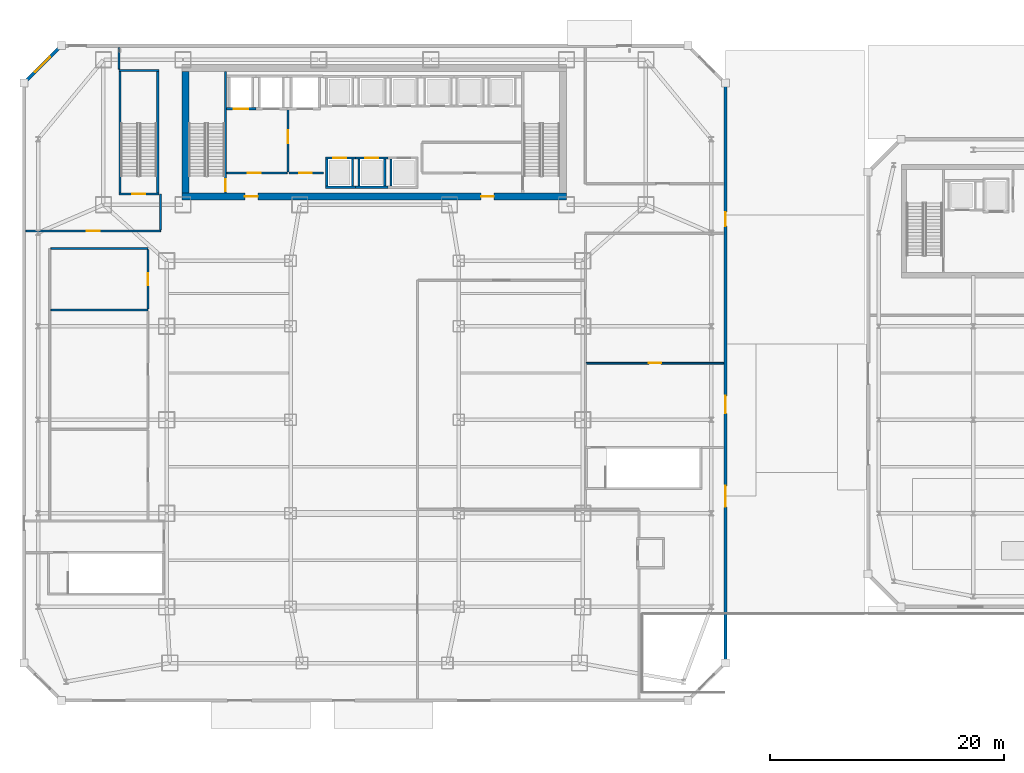
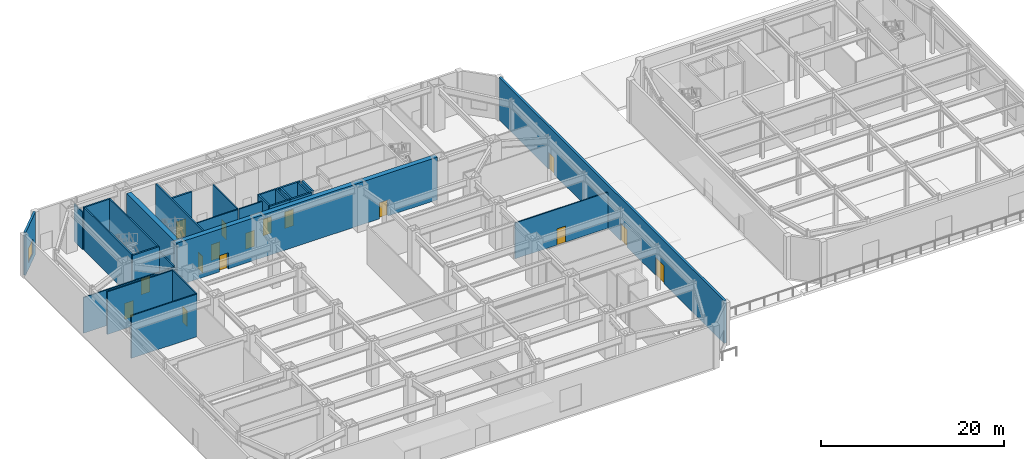
# One storey, part 12 of 23: 29 walls, 16 doors, 1 window, 17 openings.
"""IFC4 building model written with IfcOpenShell, lengths in metres."""

import ifcopenshell
import ifcopenshell.guid

model = None  # the IFC model being written
_history = None  # IfcOwnerHistory: only IFC2X3 demands one
_inside = {}  # id of a spatial element -> (the spatial element, [elements in it])
_under = {}  # id of a project, library or spatial element -> (it, [spatial elements below it])
_declared = {}  # id of a project -> (the project, [libraries it declares])
_typed = {}  # id of a type object -> (the type object, [elements of that type])
_made_of = {}  # id of a material, layer set ... -> (it, [elements and type objects made of it])


def new_model(schema):
    """Start an empty IFC model of exactly this schema.

    Asked for "IFC4X3", IfcOpenShell would pick the latest addendum, in which some entities
    have other attributes; the version numbers below select the first issue.
    IFC2X3 requires an IfcOwnerHistory on every rooted entity: one is made here for all.
    """
    global model, _history
    if schema == "IFC4X3":
        model = ifcopenshell.file(schema_version=(4, 3, 0, 0))
    else:
        model = ifcopenshell.file(schema=schema)
    _inside.clear()
    _under.clear()
    _declared.clear()
    _typed.clear()
    _made_of.clear()
    _history = None
    if model.schema == "IFC2X3":
        org = make("IfcOrganization", Name="unknown")
        user = make(
            "IfcPersonAndOrganization",
            ThePerson=make("IfcPerson", FamilyName="unknown"),
            TheOrganization=org,
        )
        app = make(
            "IfcApplication",
            ApplicationDeveloper=org,
            Version="unknown",
            ApplicationFullName="unknown",
            ApplicationIdentifier="unknown",
        )
        _history = make(
            "IfcOwnerHistory",
            OwningUser=user,
            OwningApplication=app,
            ChangeAction="ADDED",
            CreationDate=0,
        )
    return model


def make(cls, **values):
    """One entity of the class cls with the attributes given. An attribute that is None is left unset."""
    return model.create_entity(
        cls, **{name: value for name, value in values.items() if value is not None}
    )


def rooted(cls, **values):
    """An entity with a GlobalId (a new one), such as an element, a storey or a relation."""
    return make(cls, GlobalId=ifcopenshell.guid.new(), OwnerHistory=_history, **values)


def si_unit(unit_type, name, prefix=None):
    """IfcSIUnit, for example si_unit("LENGTHUNIT", "METRE", prefix="MILLI")."""
    return make("IfcSIUnit", UnitType=unit_type, Prefix=prefix, Name=name)


def assignment(units):
    """IfcUnitAssignment: the units of a project."""
    return None if units is None else make("IfcUnitAssignment", Units=units)


def point(xyz):
    """IfcCartesianPoint."""
    return None if xyz is None else make("IfcCartesianPoint", Coordinates=xyz)


def direction(xyz):
    """IfcDirection."""
    return None if xyz is None else make("IfcDirection", DirectionRatios=xyz)


def frame(location, z_axis=None, x_axis=None):
    """IfcAxis2Placement3D, a coordinate frame: its origin and axes. An axis left out is left unset."""
    return make(
        "IfcAxis2Placement3D",
        Location=point(location),
        Axis=direction(z_axis),
        RefDirection=direction(x_axis),
    )


def frame_2d(location, x_axis=None):
    """IfcAxis2Placement2D, a coordinate frame in the plane: its origin and x axis."""
    return make(
        "IfcAxis2Placement2D", Location=point(location), RefDirection=direction(x_axis)
    )


def origin():
    """The frame at (0, 0, 0) with its axes left unset."""
    return frame((0.0, 0.0, 0.0))


def place(relative_to, where):
    """IfcLocalPlacement: puts the frame where relative to a parent placement (None: the world)."""
    return make(
        "IfcLocalPlacement", PlacementRelTo=relative_to, RelativePlacement=where
    )


def context(
    kind, dimensions, precision=None, world=None, true_north=None, identifier=None
):
    """IfcGeometricRepresentationContext, for example the 3D "Model" context."""
    return make(
        "IfcGeometricRepresentationContext",
        ContextIdentifier=identifier,
        ContextType=kind,
        CoordinateSpaceDimension=dimensions,
        Precision=precision,
        WorldCoordinateSystem=world,
        TrueNorth=true_north,
    )


def subcontext(parent, identifier, kind, view, scale=None):
    """IfcGeometricRepresentationSubContext, for example "Body" below "Model"."""
    return make(
        "IfcGeometricRepresentationSubContext",
        ContextIdentifier=identifier,
        ContextType=kind,
        ParentContext=parent,
        TargetScale=scale,
        TargetView=view,
    )


def project(units=None, contexts=None):
    """IfcProject with its units and contexts."""
    return rooted(
        "IfcProject",
        Name="project",
        RepresentationContexts=contexts,
        UnitsInContext=assignment(units),
    )


def spatial(cls, under=None, at=None, **own):
    """A site, building, storey or space (cls), placed at a placement, below another one or the project."""
    s = rooted(cls, ObjectPlacement=at, **own)
    if under is not None:
        _under.setdefault(under.id(), (under, []))[1].append(s)
    return s


def profile(cls, at=None, kind="AREA", **sizes):
    """A parametric profile (cls). Its sizes go by their IFC names, for example OverallWidth=200.0."""
    return make(cls, ProfileType=kind, Position=at, **sizes)


def rectangle(**sizes):
    """IfcRectangleProfileDef."""
    return profile("IfcRectangleProfileDef", **sizes)


def extrude(swept, where, along, depth):
    """IfcExtrudedAreaSolid: the profile swept, set in the frame where, extruded along a direction by depth."""
    return make(
        "IfcExtrudedAreaSolid",
        SweptArea=swept,
        Position=where,
        ExtrudedDirection=direction(along),
        Depth=depth,
    )


def shape(context_of_items, identifier, shape_type, items):
    """IfcShapeRepresentation: the items that make up one representation, for example the "Body"."""
    return make(
        "IfcShapeRepresentation",
        ContextOfItems=context_of_items,
        RepresentationIdentifier=identifier,
        RepresentationType=shape_type,
        Items=items,
    )


def material(Name=None, Category=None):
    """IfcMaterial."""
    return make("IfcMaterial", Name=Name, Category=Category)


def layer(
    of_material, thickness, ventilated=None, Name=None, Category=None, Priority=None
):
    """IfcMaterialLayer: one layer of a wall or slab, of a material (None: an air gap)."""
    return make(
        "IfcMaterialLayer",
        Material=of_material,
        LayerThickness=thickness,
        IsVentilated=ventilated,
        Name=Name,
        Category=Category,
        Priority=Priority,
    )


def layer_set(layers, Name=None):
    """IfcMaterialLayerSet."""
    return make("IfcMaterialLayerSet", MaterialLayers=layers, LayerSetName=Name)


def made_of(thing, what):
    """Note that an element or type object is made of a material, layer set ...; save() writes the relation."""
    if what is not None:
        _made_of.setdefault(what.id(), (what, []))[1].append(thing)
    return thing


def type_object(cls, material=None, **own):
    """A type object (cls), such as IfcWallType, which elements share."""
    return made_of(rooted(cls, **own), material)


def element(
    cls,
    number,
    at=None,
    inside=None,
    cuts=None,
    type_object=None,
    material=None,
    context=None,
    identifier="Body",
    shape_type=None,
    held_by="IfcProductDefinitionShape",
    body=None,
    shapes=None,
    **own,
):
    """One element of the class cls, such as IfcWall. Its Tag is "e" and its number.

    at: its placement. inside: the storey or other place that contains it. cuts: it is an
    opening in that element (IfcRelVoidsElement). A single representation is given by context,
    identifier, shape_type and body (its items); several are given by shapes. held_by: the class
    of the entity that holds the representations. save() writes the other relations.
    """
    e = rooted(cls, Tag="e%d" % number, ObjectPlacement=at, **own)
    if body is not None:
        shapes = [shape(context, identifier, shape_type, body)]
    if shapes is not None:
        e.Representation = make(held_by, Representations=shapes)
    if inside is not None:
        _inside.setdefault(inside.id(), (inside, []))[1].append(e)
    if cuts is not None:
        rooted(
            "IfcRelVoidsElement", RelatingBuildingElement=cuts, RelatedOpeningElement=e
        )
    if type_object is not None:
        _typed.setdefault(type_object.id(), (type_object, []))[1].append(e)
    return made_of(e, material)


def fill(opening, filler):
    """IfcRelFillsElement: the door or window that sits in an opening."""
    return rooted(
        "IfcRelFillsElement",
        RelatingOpeningElement=opening,
        RelatedBuildingElement=filler,
    )


def aggregate(whole, parts):
    """IfcRelAggregates: a whole, such as a stair, and the parts it consists of."""
    return rooted("IfcRelAggregates", RelatingObject=whole, RelatedObjects=parts)


def save(model, path):
    """Write the relations noted so far, then the file.

    IfcRelAggregates (storeys below a building ...), IfcRelContainedInSpatialStructure (elements
    in a storey), IfcRelDefinesByType, IfcRelAssociatesMaterial and IfcRelDeclares: one each for
    every whole, place, type object, material and project.
    """
    for whole, parts in _under.values():
        aggregate(whole, parts)
    for where, things in _inside.values():
        rooted(
            "IfcRelContainedInSpatialStructure",
            RelatedElements=things,
            RelatingStructure=where,
        )
    for kind, things in _typed.values():
        rooted("IfcRelDefinesByType", RelatedObjects=things, RelatingType=kind)
    for what, things in _made_of.values():
        rooted("IfcRelAssociatesMaterial", RelatedObjects=things, RelatingMaterial=what)
    for by, libraries in _declared.values():
        rooted("IfcRelDeclares", RelatingContext=by, RelatedDefinitions=libraries)
    model.write(path)


model = new_model("IFC4")

# Units and contexts
model_context = context("Model", 3, precision=1e-05, world=origin(), true_north=direction((0.0, 1.0)))
body_context = subcontext(model_context, "Body", "Model", "MODEL_VIEW")
ifc_project = project(units=[si_unit("LENGTHUNIT", "METRE"), si_unit("AREAUNIT", "SQUARE_METRE"), si_unit("VOLUMEUNIT", "CUBIC_METRE"), si_unit("PLANEANGLEUNIT", "RADIAN"), si_unit("MASSUNIT", "GRAM", prefix="KILO")], contexts=[model_context])

# Site, building, storey
site_placement = place(None, origin())
site = spatial("IfcSite", under=ifc_project, at=site_placement, CompositionType="ELEMENT")
building_placement = place(site_placement, origin())
building = spatial("IfcBuilding", under=site, at=building_placement, Name="Saevonmaru Cultural Tower", CompositionType="ELEMENT")
storey_placement = place(building_placement, origin())
storey = spatial("IfcBuildingStorey", under=building, at=storey_placement, Name="L00", CompositionType="ELEMENT", Elevation=0.0)

# Wall, openings, doors
ifc_material_1 = material(Name="Concrete C60/75", Category="concrete")
ifc_layer_1 = layer(ifc_material_1, 0.60009765625, Name="Concrete C60/75")
ifc_layer_set_1 = layer_set([ifc_layer_1], Name="Concrete C60/75")
wall_type_1 = type_object("IfcWallType", Name="WL-CORE-600", PredefinedType="SHEAR", material=ifc_layer_set_1)
wall_1_placement = place(storey_placement, frame((13.5, 43.10009765625, 0.0), z_axis=(0.0, 0.0, 1.0), x_axis=(1.0, 0.0, 0.0)))
wall_1 = element("IfcWall", 1, at=wall_1_placement, inside=storey, type_object=wall_type_1, Name="L00 Tower RC core shear wall S", PredefinedType="SHEAR", context=body_context, shape_type="SweptSolid", body=[
    extrude(rectangle(XDim=32.89990234375, YDim=0.60009765625, at=frame_2d((16.449951171875, 0.0))), origin(), (0.0, 0.0, 1.0), 5.699951171875),
])
opening_1_placement = place(wall_1_placement, frame((5.39990234375, 0.0, 0.0)))
opening_1 = element("IfcOpeningElement", 2, at=opening_1_placement, cuts=wall_1, Name="Opening FD-2", PredefinedType="OPENING", context=body_context, shape_type="SweptSolid", body=[
    extrude(rectangle(XDim=1.10009765625, YDim=2.14990234375, at=frame_2d((0.550048828125, 1.074951171875))), frame((0.0, 0.31005859375, 0.0), z_axis=(0.0, -1.0, 0.0), x_axis=(1.0, 0.0, 0.0)), (0.0, 0.0, 1.0), 0.6201171875),
])
opening_2_placement = place(wall_1_placement, frame((25.60009765625, 0.0, 0.0)))
opening_2 = element("IfcOpeningElement", 3, at=opening_2_placement, cuts=wall_1, Name="Opening FD-2", PredefinedType="OPENING", context=body_context, shape_type="SweptSolid", body=[
    extrude(rectangle(XDim=1.10009765625, YDim=2.14990234375, at=frame_2d((0.550048828125, 1.074951171875))), frame((0.0, 0.31005859375, 0.0), z_axis=(0.0, -1.0, 0.0), x_axis=(1.0, 0.0, 0.0)), (0.0, 0.0, 1.0), 0.6201171875),
])
ifc_material_2 = material(Name="Satin Bronze Anodised Aluminium", Category="aluminium")
door_type_1 = type_object("IfcDoorType", Name="DR-FD60-1100", OperationType="SINGLE_SWING_LEFT", PredefinedType="DOOR", material=ifc_material_2)
door_1_placement = place(opening_1_placement, origin())
door_1 = element("IfcDoor", 4, at=door_1_placement, inside=storey, type_object=door_type_1, Name="L00 Core West Lobby Fire Door", OperationType="SINGLE_SWING_LEFT", OverallHeight=2.14990234375, OverallWidth=1.10009765625, PredefinedType="DOOR", context=body_context, shape_type="SweptSolid", body=[
    extrude(rectangle(XDim=1.10009765625, YDim=2.14990234375, at=frame_2d((0.550048828125, 1.074951171875))), frame((0.0, 0.02490234375, 0.0), z_axis=(0.0, -1.0, 0.0), x_axis=(1.0, 0.0, 0.0)), (0.0, 0.0, 1.0), 0.050048828125),
])
fill(opening_1, door_1)
door_2_placement = place(opening_2_placement, origin())
door_2 = element("IfcDoor", 5, at=door_2_placement, inside=storey, type_object=door_type_1, Name="L00 Core East Lobby Fire Door", OperationType="SINGLE_SWING_LEFT", OverallHeight=2.14990234375, OverallWidth=1.10009765625, PredefinedType="DOOR", context=body_context, shape_type="SweptSolid", body=[
    extrude(rectangle(XDim=1.10009765625, YDim=2.14990234375, at=frame_2d((0.550048828125, 1.074951171875))), frame((0.0, 0.02490234375, 0.0), z_axis=(0.0, -1.0, 0.0), x_axis=(1.0, 0.0, 0.0)), (0.0, 0.0, 1.0), 0.050048828125),
])
fill(opening_2, door_2)

# Wall
wall_2_placement = place(storey_placement, frame((13.800048828125, 43.39990234375, 0.0), z_axis=(0.0, 0.0, 1.0), x_axis=(0.0, 1.0, 0.0)))
element("IfcWall", 6, at=wall_2_placement, inside=storey, type_object=wall_type_1, Name="L00 Tower RC core shear wall W", PredefinedType="SHEAR", context=body_context, shape_type="SweptSolid", body=[
    extrude(rectangle(XDim=10.400146484375, YDim=0.60009765625, at=frame_2d((5.2001953125, 0.0))), origin(), (0.0, 0.0, 1.0), 5.699951171875),
])

# Wall, opening, door
ifc_material_3 = material(Name="Gypsum Fireboard Partition", Category="gypsum")
ifc_layer_2 = layer(ifc_material_3, 0.14990234375, Name="Gypsum Fireboard Partition")
ifc_layer_set_2 = layer_set([ifc_layer_2], Name="Gypsum Fireboard Partition")
wall_type_2 = type_object("IfcWallType", Name="WL-CORE-PART-150", PredefinedType="PARTITIONING", material=ifc_layer_set_2)
wall_3_placement = place(storey_placement, frame((17.360107421875, 45.1201171875, 0.0), z_axis=(0.0, 0.0, 1.0), x_axis=(1.0, 0.0, 0.0)))
wall_3 = element("IfcWall", 7, at=wall_3_placement, inside=storey, type_object=wall_type_2, Name="L00 Firefighting Lift Lobby South Wall", PredefinedType="PARTITIONING", context=body_context, shape_type="SweptSolid", body=[
    extrude(rectangle(XDim=5.139892578125, YDim=0.14990234375, at=frame_2d((2.56982421875, 0.0))), origin(), (0.0, 0.0, 1.0), 5.699951171875),
])
opening_3_placement = place(wall_3_placement, frame((1.800048828125, 0.0, 0.0)))
opening_3 = element("IfcOpeningElement", 8, at=opening_3_placement, cuts=wall_3, Name="Opening FD-2", PredefinedType="OPENING", context=body_context, shape_type="SweptSolid", body=[
    extrude(rectangle(XDim=1.10009765625, YDim=2.14990234375, at=frame_2d((0.550048828125, 1.074951171875))), frame((0.0, 0.0849609375, 0.0), z_axis=(0.0, -1.0, 0.0), x_axis=(1.0, 0.0, 0.0)), (0.0, 0.0, 1.0), 0.169921875),
])
door_3_placement = place(opening_3_placement, origin())
door_3 = element("IfcDoor", 9, at=door_3_placement, inside=storey, type_object=door_type_1, Name="L00 Firefighting Lift Lobby South Door", OperationType="SINGLE_SWING_LEFT", OverallHeight=2.14990234375, OverallWidth=1.10009765625, PredefinedType="DOOR", context=body_context, shape_type="SweptSolid", body=[
    extrude(rectangle(XDim=1.10009765625, YDim=2.14990234375, at=frame_2d((0.550048828125, 1.074951171875))), frame((0.0, 0.02490234375, 0.0), z_axis=(0.0, -1.0, 0.0), x_axis=(1.0, 0.0, 0.0)), (0.0, 0.0, 1.0), 0.050048828125),
])
fill(opening_3, door_3)

wall_4_placement = place(storey_placement, frame((22.580078125, 50.550048828125, 0.0), z_axis=(0.0, 0.0, 1.0), x_axis=(0.0, -1.0, 0.0)))
wall_4 = element("IfcWall", 10, at=wall_4_placement, inside=storey, type_object=wall_type_2, Name="L00 Firefighting Lift Lobby East Wall", PredefinedType="PARTITIONING", context=body_context, shape_type="SweptSolid", body=[
    extrude(rectangle(XDim=5.330078125, YDim=0.14990234375, at=frame_2d((2.6650390625, 0.0))), origin(), (0.0, 0.0, 1.0), 5.699951171875),
])
opening_4_placement = place(wall_4_placement, frame((1.800048828125, 0.0, 0.0)))
opening_4 = element("IfcOpeningElement", 11, at=opening_4_placement, cuts=wall_4, Name="Opening FD-2", PredefinedType="OPENING", context=body_context, shape_type="SweptSolid", body=[
    extrude(rectangle(XDim=1.10009765625, YDim=2.14990234375, at=frame_2d((0.550048828125, 1.074951171875))), frame((0.0, 0.0849609375, 0.0), z_axis=(0.0, -1.0, 0.0), x_axis=(1.0, 0.0, 0.0)), (0.0, 0.0, 1.0), 0.169921875),
])
door_4_placement = place(opening_4_placement, origin())
door_4 = element("IfcDoor", 12, at=door_4_placement, inside=storey, type_object=door_type_1, Name="L00 Firefighting Lift Lobby East Door", OperationType="SINGLE_SWING_LEFT", OverallHeight=2.14990234375, OverallWidth=1.10009765625, PredefinedType="DOOR", context=body_context, shape_type="SweptSolid", body=[
    extrude(rectangle(XDim=1.10009765625, YDim=2.14990234375, at=frame_2d((0.550048828125, 1.074951171875))), frame((0.0, 0.02490234375, 0.0), z_axis=(0.0, -1.0, 0.0), x_axis=(1.0, 0.0, 0.0)), (0.0, 0.0, 1.0), 0.050048828125),
])
fill(opening_4, door_4)

wall_5_placement = place(storey_placement, frame((22.679931640625, 45.1201171875, 0.0), z_axis=(0.0, 0.0, 1.0), x_axis=(1.0, 0.0, 0.0)))
wall_5 = element("IfcWall", 13, at=wall_5_placement, inside=storey, type_object=wall_type_2, Name="L00 Service Lift Vestibule Wall", PredefinedType="PARTITIONING", context=body_context, shape_type="SweptSolid", body=[
    extrude(rectangle(XDim=2.920166015625, YDim=0.14990234375, at=frame_2d((1.4599609375, 0.0))), origin(), (0.0, 0.0, 1.0), 5.699951171875),
])
opening_5_placement = place(wall_5_placement, frame((0.85009765625, 0.0, 0.0)))
opening_5 = element("IfcOpeningElement", 14, at=opening_5_placement, cuts=wall_5, Name="Opening FD-2", PredefinedType="OPENING", context=body_context, shape_type="SweptSolid", body=[
    extrude(rectangle(XDim=1.10009765625, YDim=2.14990234375, at=frame_2d((0.550048828125, 1.074951171875))), frame((0.0, 0.0849609375, 0.0), z_axis=(0.0, -1.0, 0.0), x_axis=(1.0, 0.0, 0.0)), (0.0, 0.0, 1.0), 0.169921875),
])
door_5_placement = place(opening_5_placement, origin())
door_5 = element("IfcDoor", 15, at=door_5_placement, inside=storey, type_object=door_type_1, Name="L00 Service Lift Vestibule Door", OperationType="SINGLE_SWING_LEFT", OverallHeight=2.14990234375, OverallWidth=1.10009765625, PredefinedType="DOOR", context=body_context, shape_type="SweptSolid", body=[
    extrude(rectangle(XDim=1.10009765625, YDim=2.14990234375, at=frame_2d((0.550048828125, 1.074951171875))), frame((0.0, 0.02490234375, 0.0), z_axis=(0.0, -1.0, 0.0), x_axis=(1.0, 0.0, 0.0)), (0.0, 0.0, 1.0), 0.050048828125),
])
fill(opening_5, door_5)

# Wall, opening, window
ifc_material_4 = material(Name="Granite-Clad Precast Concrete C40/50", Category="masonry")
ifc_layer_3 = layer(ifc_material_4, 0.260009765625, Name="Granite-Clad Precast Concrete C40/50")
ifc_layer_set_3 = layer_set([ifc_layer_3], Name="Granite-Clad Precast Concrete C40/50")
wall_type_3 = type_object("IfcWallType", Name="WL-EXT-SPANDREL-260", PredefinedType="STANDARD", material=ifc_layer_set_3)
wall_6_placement = place(storey_placement, frame((0.113037109375, 52.9130859375, 0.0), z_axis=(0.0, 0.0, 1.0), x_axis=(0.707106781187, 0.707106781187, 0.0)))
wall_6 = element("IfcWall", 16, at=wall_6_placement, inside=storey, type_object=wall_type_3, Name="L00 Podium Bronze-Granite Exterior Wall E7", PredefinedType="STANDARD", context=body_context, shape_type="SweptSolid", body=[
    extrude(rectangle(XDim=4.205810546875, YDim=0.260009765625, at=frame_2d((2.10302734375, 0.0))), origin(), (0.0, 0.0, 1.0), 5.699951171875),
])
opening_6_placement = place(wall_6_placement, frame((1.202880859375, 0.0, 0.89990234375)))
opening_6 = element("IfcOpeningElement", 17, at=opening_6_placement, cuts=wall_6, Name="Opening W-2", PredefinedType="OPENING", context=body_context, shape_type="SweptSolid", body=[
    extrude(rectangle(XDim=1.800048828125, YDim=1.89990234375, at=frame_2d((0.89990234375, 0.949951171875))), frame((0.0, 0.14013671875, 0.0), z_axis=(0.0, -1.0, 0.0), x_axis=(1.0, 0.0, 0.0)), (0.0, 0.0, 1.0), 0.280029296875),
])
window_type = type_object("IfcWindowType", Name="WN-DECO-1800x1900", PartitioningType="SINGLE_PANEL", PredefinedType="WINDOW", material=ifc_material_2)
window_placement = place(opening_6_placement, origin())
window = element("IfcWindow", 18, at=window_placement, inside=storey, type_object=window_type, Name="L00 Chamfer Bay Window E7", OverallHeight=1.89990234375, OverallWidth=1.800048828125, PartitioningType="SINGLE_PANEL", PredefinedType="WINDOW", context=body_context, shape_type="SweptSolid", body=[
    extrude(rectangle(XDim=1.800048828125, YDim=1.89990234375, at=frame_2d((0.89990234375, 0.949951171875))), frame((0.0, 0.030029296875, 0.0), z_axis=(0.0, -1.0, 0.0), x_axis=(1.0, 0.0, 0.0)), (0.0, 0.0, 1.0), 0.06005859375),
])
fill(opening_6, window)

# Wall, openings, doors
ifc_layer_4 = layer(ifc_material_4, 0.280029296875, Name="Granite-Clad Precast Concrete C40/50")
ifc_layer_set_4 = layer_set([ifc_layer_4], Name="Granite-Clad Precast Concrete C40/50")
wall_type_4 = type_object("IfcWallType", Name="WL-EXT-SPANDREL-280", PredefinedType="STANDARD", material=ifc_layer_set_4)
wall_7_placement = place(storey_placement, frame((60.0, 52.639892578125, 0.0), z_axis=(0.0, 0.0, 1.0), x_axis=(0.0, -1.0, 0.0)))
wall_7 = element("IfcWall", 19, at=wall_7_placement, inside=storey, type_object=wall_type_4, Name="L00 Podium Bronze-Granite Exterior Wall E4", PredefinedType="STANDARD", context=body_context, shape_type="SweptSolid", body=[
    extrude(rectangle(XDim=49.27978515625, YDim=0.280029296875, at=frame_2d((24.639892578125, 0.0))), origin(), (0.0, 0.0, 1.0), 5.699951171875),
])
opening_7_placement = place(wall_7_placement, frame((34.280029296875, 0.0, 0.0)))
opening_7 = element("IfcOpeningElement", 20, at=opening_7_placement, cuts=wall_7, Name="Opening EXD-1", PredefinedType="OPENING", context=body_context, shape_type="SweptSolid", body=[
    extrude(rectangle(XDim=1.800048828125, YDim=2.39990234375, at=frame_2d((0.89990234375, 1.199951171875))), frame((0.0, 0.14990234375, 0.0), z_axis=(0.0, -1.0, 0.0), x_axis=(1.0, 0.0, 0.0)), (0.0, 0.0, 1.0), 0.300048828125),
])
opening_8_placement = place(wall_7_placement, frame((26.580078125, 0.0, 0.0)))
opening_8 = element("IfcOpeningElement", 21, at=opening_8_placement, cuts=wall_7, Name="Opening EXD-1B", PredefinedType="OPENING", context=body_context, shape_type="SweptSolid", body=[
    extrude(rectangle(XDim=1.5, YDim=2.35009765625, at=frame_2d((0.75, 1.175048828125))), frame((0.0, 0.14990234375, 0.0), z_axis=(0.0, -1.0, 0.0), x_axis=(1.0, 0.0, 0.0)), (0.0, 0.0, 1.0), 0.300048828125),
])
opening_9_placement = place(wall_7_placement, frame((10.8798828125, 0.0, 0.0)))
opening_9 = element("IfcOpeningElement", 22, at=opening_9_placement, cuts=wall_7, Name="Opening EXD-2", PredefinedType="OPENING", context=body_context, shape_type="SweptSolid", body=[
    extrude(rectangle(XDim=1.199951171875, YDim=2.25, at=frame_2d((0.60009765625, 1.125))), frame((0.0, 0.14990234375, 0.0), z_axis=(0.0, -1.0, 0.0), x_axis=(1.0, 0.0, 0.0)), (0.0, 0.0, 1.0), 0.300048828125),
])
door_type_2 = type_object("IfcDoorType", Name="DR-EXIT-1200", OperationType="SINGLE_SWING_LEFT", PredefinedType="DOOR", material=ifc_material_2)
door_6_placement = place(opening_9_placement, origin())
door_6 = element("IfcDoor", 23, at=door_6_placement, inside=storey, type_object=door_type_2, Name="Saevon Plaza Concourse Exit Door EX-02B", OperationType="SINGLE_SWING_RIGHT", OverallHeight=2.25, OverallWidth=1.199951171875, PredefinedType="DOOR", context=body_context, shape_type="SweptSolid", body=[
    extrude(rectangle(XDim=1.199951171875, YDim=2.25, at=frame_2d((0.60009765625, 1.125))), frame((0.0, 0.02490234375, 0.0), z_axis=(0.0, -1.0, 0.0), x_axis=(1.0, 0.0, 0.0)), (0.0, 0.0, 1.0), 0.050048828125),
])
fill(opening_9, door_6)
door_type_3 = type_object("IfcDoorType", Name="DR-EXIT-1500", OperationType="DOUBLE_DOOR_SINGLE_SWING", PredefinedType="DOOR", material=ifc_material_2)
door_7_placement = place(opening_8_placement, origin())
door_7 = element("IfcDoor", 24, at=door_7_placement, inside=storey, type_object=door_type_3, Name="Saevon Plaza Concourse Exit Door EX-02", OperationType="DOUBLE_DOOR_SINGLE_SWING", OverallHeight=2.35009765625, OverallWidth=1.5, PredefinedType="DOOR", context=body_context, shape_type="SweptSolid", body=[
    extrude(rectangle(XDim=1.5, YDim=2.35009765625, at=frame_2d((0.75, 1.175048828125))), frame((0.0, 0.02490234375, 0.0), z_axis=(0.0, -1.0, 0.0), x_axis=(1.0, 0.0, 0.0)), (0.0, 0.0, 1.0), 0.050048828125),
])
fill(opening_8, door_7)
door_type_4 = type_object("IfcDoorType", Name="DR-EXIT-1800", OperationType="DOUBLE_DOOR_SINGLE_SWING", PredefinedType="DOOR", material=ifc_material_2)
door_8_placement = place(opening_7_placement, origin())
door_8 = element("IfcDoor", 25, at=door_8_placement, inside=storey, type_object=door_type_4, Name="Saevon Plaza Concourse Exit Door EX-01", OperationType="DOUBLE_DOOR_SINGLE_SWING", OverallHeight=2.39990234375, OverallWidth=1.800048828125, PredefinedType="DOOR", context=body_context, shape_type="SweptSolid", body=[
    extrude(rectangle(XDim=1.800048828125, YDim=2.39990234375, at=frame_2d((0.89990234375, 1.199951171875))), frame((0.0, 0.02490234375, 0.0), z_axis=(0.0, -1.0, 0.0), x_axis=(1.0, 0.0, 0.0)), (0.0, 0.0, 1.0), 0.050048828125),
])
fill(opening_7, door_8)

# Wall, opening, door
ifc_layer_5 = layer(ifc_material_3, 0.14990234375, Name="Gypsum Fireboard Partition")
ifc_layer_set_5 = layer_set([ifc_layer_5], Name="Gypsum Fireboard Partition")
wall_type_5 = type_object("IfcWallType", Name="WL-PART-FIRE-150", PredefinedType="PARTITIONING", material=ifc_layer_set_5)
wall_8_placement = place(storey_placement, frame((48.114990234375, 28.85009765625, 0.0), z_axis=(0.0, 0.0, 1.0), x_axis=(1.0, 0.0, 0.0)))
wall_8 = element("IfcWall", 26, at=wall_8_placement, inside=storey, type_object=wall_type_5, Name="L00 East Station Exit Passageway North Wall", PredefinedType="PARTITIONING", context=body_context, shape_type="SweptSolid", body=[
    extrude(rectangle(XDim=11.72509765625, YDim=0.14990234375, at=frame_2d((5.862548828125, 0.0))), origin(), (0.0, 0.0, 1.0), 4.784912109375),
])
opening_10_placement = place(wall_8_placement, frame((5.31298828125, 0.0, 0.0)))
opening_10 = element("IfcOpeningElement", 27, at=opening_10_placement, cuts=wall_8, Name="Opening FD-2", PredefinedType="OPENING", context=body_context, shape_type="SweptSolid", body=[
    extrude(rectangle(XDim=1.10009765625, YDim=2.14990234375, at=frame_2d((0.550048828125, 1.074951171875))), frame((0.0, 0.0849609375, 0.0), z_axis=(0.0, -1.0, 0.0), x_axis=(1.0, 0.0, 0.0)), (0.0, 0.0, 1.0), 0.169921875),
])
door_9_placement = place(opening_10_placement, origin())
door_9 = element("IfcDoor", 28, at=door_9_placement, inside=storey, type_object=door_type_1, Name="L00 East Station Exit Passageway Vestibule Door", OperationType="SINGLE_SWING_RIGHT", OverallHeight=2.14990234375, OverallWidth=1.10009765625, PredefinedType="DOOR", context=body_context, shape_type="SweptSolid", body=[
    extrude(rectangle(XDim=1.10009765625, YDim=2.14990234375, at=frame_2d((0.550048828125, 1.074951171875))), frame((0.0, 0.02490234375, 0.0), z_axis=(0.0, -1.0, 0.0), x_axis=(1.0, 0.0, 0.0)), (0.0, 0.0, 1.0), 0.050048828125),
])
fill(opening_10, door_9)

wall_9_placement = place(storey_placement, frame((11.679931640625, 40.14990234375, 0.0), z_axis=(0.0, 0.0, 1.0), x_axis=(-1.0, 0.0, 0.0)))
wall_9 = element("IfcWall", 29, at=wall_9_placement, inside=storey, type_object=wall_type_5, Name="L00 West Exit Passageway South Wall", PredefinedType="PARTITIONING", context=body_context, shape_type="SweptSolid", body=[
    extrude(rectangle(XDim=11.52001953125, YDim=0.14990234375, at=frame_2d((5.760009765625, 0.0))), origin(), (0.0, 0.0, 1.0), 4.784912109375),
])
opening_11_placement = place(wall_9_placement, frame((5.2099609375, 0.0, 0.0)))
opening_11 = element("IfcOpeningElement", 30, at=opening_11_placement, cuts=wall_9, Name="Opening FD-2", PredefinedType="OPENING", context=body_context, shape_type="SweptSolid", body=[
    extrude(rectangle(XDim=1.10009765625, YDim=2.14990234375, at=frame_2d((0.550048828125, 1.074951171875))), frame((0.0, 0.0849609375, 0.0), z_axis=(0.0, -1.0, 0.0), x_axis=(1.0, 0.0, 0.0)), (0.0, 0.0, 1.0), 0.169921875),
])
door_10_placement = place(opening_11_placement, origin())
door_10 = element("IfcDoor", 31, at=door_10_placement, inside=storey, type_object=door_type_1, Name="L00 West Exit Passageway Vestibule Door", OperationType="SINGLE_SWING_LEFT", OverallHeight=2.14990234375, OverallWidth=1.10009765625, PredefinedType="DOOR", context=body_context, shape_type="SweptSolid", body=[
    extrude(rectangle(XDim=1.10009765625, YDim=2.14990234375, at=frame_2d((0.550048828125, 1.074951171875))), frame((0.0, 0.02490234375, 0.0), z_axis=(0.0, -1.0, 0.0), x_axis=(1.0, 0.0, 0.0)), (0.0, 0.0, 1.0), 0.050048828125),
])
fill(opening_11, door_10)

# Walls
wall_10_placement = place(storey_placement, frame((11.679931640625, 40.2451171875, 0.0), z_axis=(0.0, 0.0, 1.0), x_axis=(0.0, 1.0, 0.0)))
element("IfcWall", 32, at=wall_10_placement, inside=storey, type_object=wall_type_5, Name="L00 West Exit Passageway East Return", PredefinedType="PARTITIONING", context=body_context, shape_type="SweptSolid", body=[
    extrude(rectangle(XDim=3.06494140625, YDim=0.14990234375, at=frame_2d((1.532470703125, 0.0))), origin(), (0.0, 0.0, 1.0), 4.885009765625),
])
wall_11_placement = place(storey_placement, frame((8.1201171875, 54.0, 0.0), z_axis=(0.0, 0.0, 1.0), x_axis=(0.0, 1.0, 0.0)))
element("IfcWall", 33, at=wall_11_placement, inside=storey, type_object=wall_type_5, Name="L00 West Exit Passageway North Return", PredefinedType="PARTITIONING", context=body_context, shape_type="SweptSolid", body=[
    extrude(rectangle(XDim=1.840087890625, YDim=0.14990234375, at=frame_2d((0.919921875, 0.0))), origin(), (0.0, 0.0, 1.0), 4.985107421875),
])
for number, where, z_axis, x_axis, name in (
    (34, (2.294921875, 33.39990234375, 0.0), (0.0, 0.0, 1.0), (1.0, 0.0, 0.0), "L00 Fire Command South Wall"),
    (35, (2.294921875, 38.64990234375, 0.0), (0.0, 0.0, 1.0), (1.0, 0.0, 0.0), "L00 Fire Command North Wall"),
):
    element("IfcWall", number, at=place(storey_placement, frame(where, z_axis=z_axis, x_axis=x_axis)), inside=storey, type_object=wall_type_5, Name=name, PredefinedType="PARTITIONING", context=body_context, shape_type="SweptSolid", body=[
        extrude(rectangle(XDim=8.30517578125, YDim=0.14990234375, at=frame_2d((4.152587890625, 0.0))), origin(), (0.0, 0.0, 1.0), 5.699951171875),
    ])

# Wall, opening, door
wall_12_placement = place(storey_placement, frame((10.60009765625, 33.4951171875, 0.0), z_axis=(0.0, 0.0, 1.0), x_axis=(0.0, 1.0, 0.0)))
wall_12 = element("IfcWall", 36, at=wall_12_placement, inside=storey, type_object=wall_type_5, Name="L00 Fire Command Foyer Wall", PredefinedType="PARTITIONING", context=body_context, shape_type="SweptSolid", body=[
    extrude(rectangle(XDim=5.059814453125, YDim=0.14990234375, at=frame_2d((2.52978515625, 0.0))), origin(), (0.0, 0.0, 1.0), 5.699951171875),
])
opening_12_placement = place(wall_12_placement, frame((2.030029296875, 0.0, 0.0)))
opening_12 = element("IfcOpeningElement", 37, at=opening_12_placement, cuts=wall_12, Name="Opening FD-3", PredefinedType="OPENING", context=body_context, shape_type="SweptSolid", body=[
    extrude(rectangle(XDim=1.0, YDim=2.14990234375, at=frame_2d((0.5, 1.074951171875))), frame((0.0, 0.0849609375, 0.0), z_axis=(0.0, -1.0, 0.0), x_axis=(1.0, 0.0, 0.0)), (0.0, 0.0, 1.0), 0.169921875),
])
door_type_5 = type_object("IfcDoorType", Name="DR-FD60-1000", OperationType="SINGLE_SWING_RIGHT", PredefinedType="DOOR", material=ifc_material_2)
door_11_placement = place(opening_12_placement, origin())
door_11 = element("IfcDoor", 38, at=door_11_placement, inside=storey, type_object=door_type_5, Name="L00 Fire Command Centre Door", OperationType="SINGLE_SWING_LEFT", OverallHeight=2.14990234375, OverallWidth=1.0, PredefinedType="DOOR", context=body_context, shape_type="SweptSolid", body=[
    extrude(rectangle(XDim=1.0, YDim=2.14990234375, at=frame_2d((0.5, 1.074951171875))), frame((0.0, 0.02490234375, 0.0), z_axis=(0.0, -1.0, 0.0), x_axis=(1.0, 0.0, 0.0)), (0.0, 0.0, 1.0), 0.050048828125),
])
fill(opening_12, door_11)

ifc_material_5 = material(Name="Concrete C40/50", Category="concrete")
ifc_layer_6 = layer(ifc_material_5, 0.199951171875, Name="Concrete C40/50")
ifc_layer_set_6 = layer_set([ifc_layer_6], Name="Concrete C40/50")
wall_type_6 = type_object("IfcWallType", Name="WL-SHAFT-200", PredefinedType="SHEAR", material=ifc_layer_set_6)
wall_13_placement = place(storey_placement, frame((17.330078125, 50.60009765625, 0.0), z_axis=(0.0, 0.0, 1.0), x_axis=(1.0, 0.0, 0.0)))
wall_13 = element("IfcWall", 39, at=wall_13_placement, inside=storey, type_object=wall_type_6, Name="L00 Lift FFL-1 Hoistway Wall S", PredefinedType="SHEAR", context=body_context, shape_type="SweptSolid", body=[
    extrude(rectangle(XDim=2.52001953125, YDim=0.199951171875, at=frame_2d((1.260009765625, 0.0))), origin(), (0.0, 0.0, 1.0), 5.699951171875),
])
opening_13_placement = place(wall_13_placement, frame((0.594970703125, 0.0, 0.0)))
opening_13 = element("IfcOpeningElement", 40, at=opening_13_placement, cuts=wall_13, Name="Opening LD-2", PredefinedType="OPENING", context=body_context, shape_type="SweptSolid", body=[
    extrude(rectangle(XDim=1.25, YDim=2.300048828125, at=frame_2d((0.625, 1.14990234375))), frame((0.0, 0.10986328125, 0.0), z_axis=(0.0, -1.0, 0.0), x_axis=(1.0, 0.0, 0.0)), (0.0, 0.0, 1.0), 0.219970703125),
])
ifc_material_6 = material(Name="Stainless Steel 316", Category="steel")
door_type_6 = type_object("IfcDoorType", Name="DR-LIFT-1250", OperationType="SLIDING_TO_LEFT", PredefinedType="DOOR", material=ifc_material_6)
door_12_placement = place(opening_13_placement, origin())
door_12 = element("IfcDoor", 41, at=door_12_placement, inside=storey, type_object=door_type_6, Name="L00 Lift FFL-1 Sliding Landing Door", OperationType="SLIDING_TO_LEFT", OverallHeight=2.300048828125, OverallWidth=1.25, PredefinedType="DOOR", context=body_context, shape_type="SweptSolid", body=[
    extrude(rectangle(XDim=1.25, YDim=2.300048828125, at=frame_2d((0.625, 1.14990234375))), frame((0.0, 0.02490234375, 0.0), z_axis=(0.0, -1.0, 0.0), x_axis=(1.0, 0.0, 0.0)), (0.0, 0.0, 1.0), 0.050048828125),
])
fill(opening_13, door_12)

# Wall
wall_14_placement = place(storey_placement, frame((25.800048828125, 43.89990234375, 0.0), z_axis=(0.0, 0.0, 1.0), x_axis=(1.0, 0.0, 0.0)))
element("IfcWall", 42, at=wall_14_placement, inside=storey, type_object=wall_type_6, Name="L00 Lift PL-M1 Hoistway Wall S", PredefinedType="SHEAR", context=body_context, shape_type="SweptSolid", body=[
    extrude(rectangle(XDim=2.574951171875, YDim=0.199951171875, at=frame_2d((1.28759765625, 0.0))), origin(), (0.0, 0.0, 1.0), 5.699951171875),
])

# Wall, opening, door
wall_15_placement = place(storey_placement, frame((25.800048828125, 46.39990234375, 0.0), z_axis=(0.0, 0.0, 1.0), x_axis=(1.0, 0.0, 0.0)))
wall_15 = element("IfcWall", 43, at=wall_15_placement, inside=storey, type_object=wall_type_6, Name="L00 Lift PL-M1 Hoistway Wall N", PredefinedType="SHEAR", context=body_context, shape_type="SweptSolid", body=[
    extrude(rectangle(XDim=2.574951171875, YDim=0.199951171875, at=frame_2d((1.28759765625, 0.0))), origin(), (0.0, 0.0, 1.0), 5.699951171875),
])
opening_14_placement = place(wall_15_placement, frame((0.64990234375, 0.0, 0.0)))
opening_14 = element("IfcOpeningElement", 44, at=opening_14_placement, cuts=wall_15, Name="Opening LD-1", PredefinedType="OPENING", context=body_context, shape_type="SweptSolid", body=[
    extrude(rectangle(XDim=1.10009765625, YDim=2.199951171875, at=frame_2d((0.550048828125, 1.10009765625))), frame((0.0, 0.10986328125, 0.0), z_axis=(0.0, -1.0, 0.0), x_axis=(1.0, 0.0, 0.0)), (0.0, 0.0, 1.0), 0.219970703125),
])
ifc_material_7 = material(Name="Satin Bronze Stainless Steel", Category="steel")
door_type_7 = type_object("IfcDoorType", Name="DR-LIFT-1100", OperationType="SLIDING_TO_LEFT", PredefinedType="DOOR", material=ifc_material_7)
door_13_placement = place(opening_14_placement, origin())
door_13 = element("IfcDoor", 45, at=door_13_placement, inside=storey, type_object=door_type_7, Name="L00 Lift PL-M1 Sliding Landing Door", OperationType="SLIDING_TO_LEFT", OverallHeight=2.199951171875, OverallWidth=1.10009765625, PredefinedType="DOOR", context=body_context, shape_type="SweptSolid", body=[
    extrude(rectangle(XDim=1.10009765625, YDim=2.199951171875, at=frame_2d((0.550048828125, 1.10009765625))), frame((0.0, 0.02490234375, 0.0), z_axis=(0.0, -1.0, 0.0), x_axis=(1.0, 0.0, 0.0)), (0.0, 0.0, 1.0), 0.050048828125),
])
fill(opening_14, door_13)

# Walls
for number, where, z_axis, x_axis, name in (
    (46, (25.89990234375, 44.0, 0.0), (0.0, 0.0, 1.0), (0.0, 1.0, 0.0), "L00 Lift PL-M1 Hoistway Wall W"),
    (47, (28.10009765625, 44.0, 0.0), (0.0, 0.0, 1.0), (0.0, 1.0, 0.0), "L00 Lift PL-M1 Hoistway Wall E"),
):
    element("IfcWall", number, at=place(storey_placement, frame(where, z_axis=z_axis, x_axis=x_axis)), inside=storey, type_object=wall_type_6, Name=name, PredefinedType="SHEAR", context=body_context, shape_type="SweptSolid", body=[
        extrude(rectangle(XDim=2.300048828125, YDim=0.199951171875, at=frame_2d((1.14990234375, 0.0))), origin(), (0.0, 0.0, 1.0), 5.699951171875),
    ])
wall_16_placement = place(storey_placement, frame((28.375, 43.89990234375, 0.0), z_axis=(0.0, 0.0, 1.0), x_axis=(1.0, 0.0, 0.0)))
element("IfcWall", 48, at=wall_16_placement, inside=storey, type_object=wall_type_6, Name="L00 Lift PL-M2 Hoistway Wall S", PredefinedType="SHEAR", context=body_context, shape_type="SweptSolid", body=[
    extrude(rectangle(XDim=2.75, YDim=0.199951171875, at=frame_2d((1.375, 0.0))), origin(), (0.0, 0.0, 1.0), 5.699951171875),
])

# Wall, opening, door
wall_17_placement = place(storey_placement, frame((28.375, 46.39990234375, 0.0), z_axis=(0.0, 0.0, 1.0), x_axis=(1.0, 0.0, 0.0)))
wall_17 = element("IfcWall", 49, at=wall_17_placement, inside=storey, type_object=wall_type_6, Name="L00 Lift PL-M2 Hoistway Wall N", PredefinedType="SHEAR", context=body_context, shape_type="SweptSolid", body=[
    extrude(rectangle(XDim=2.75, YDim=0.199951171875, at=frame_2d((1.375, 0.0))), origin(), (0.0, 0.0, 1.0), 5.699951171875),
])
opening_15_placement = place(wall_17_placement, frame((0.824951171875, 0.0, 0.0)))
opening_15 = element("IfcOpeningElement", 50, at=opening_15_placement, cuts=wall_17, Name="Opening LD-1", PredefinedType="OPENING", context=body_context, shape_type="SweptSolid", body=[
    extrude(rectangle(XDim=1.10009765625, YDim=2.199951171875, at=frame_2d((0.550048828125, 1.10009765625))), frame((0.0, 0.10986328125, 0.0), z_axis=(0.0, -1.0, 0.0), x_axis=(1.0, 0.0, 0.0)), (0.0, 0.0, 1.0), 0.219970703125),
])
door_14_placement = place(opening_15_placement, origin())
door_14 = element("IfcDoor", 51, at=door_14_placement, inside=storey, type_object=door_type_7, Name="L00 Lift PL-M2 Sliding Landing Door", OperationType="SLIDING_TO_LEFT", OverallHeight=2.199951171875, OverallWidth=1.10009765625, PredefinedType="DOOR", context=body_context, shape_type="SweptSolid", body=[
    extrude(rectangle(XDim=1.10009765625, YDim=2.199951171875, at=frame_2d((0.550048828125, 1.10009765625))), frame((0.0, 0.02490234375, 0.0), z_axis=(0.0, -1.0, 0.0), x_axis=(1.0, 0.0, 0.0)), (0.0, 0.0, 1.0), 0.050048828125),
])
fill(opening_15, door_14)

# Walls
for number, where, z_axis, x_axis, name in (
    (52, (28.64990234375, 44.0, 0.0), (0.0, 0.0, 1.0), (0.0, 1.0, 0.0), "L00 Lift PL-M2 Hoistway Wall W"),
    (53, (30.85009765625, 44.0, 0.0), (0.0, 0.0, 1.0), (0.0, 1.0, 0.0), "L00 Lift PL-M2 Hoistway Wall E"),
    (54, (31.39990234375, 44.0, 0.0), (0.0, 0.0, 1.0), (0.0, 1.0, 0.0), "L00 Lift PL-M3 Hoistway Wall W"),
):
    element("IfcWall", number, at=place(storey_placement, frame(where, z_axis=z_axis, x_axis=x_axis)), inside=storey, type_object=wall_type_6, Name=name, PredefinedType="SHEAR", context=body_context, shape_type="SweptSolid", body=[
        extrude(rectangle(XDim=2.300048828125, YDim=0.199951171875, at=frame_2d((1.14990234375, 0.0))), origin(), (0.0, 0.0, 1.0), 5.699951171875),
    ])

# Wall, opening, door
ifc_layer_7 = layer(ifc_material_5, 0.179931640625, Name="Concrete C40/50")
ifc_layer_set_7 = layer_set([ifc_layer_7], Name="Concrete C40/50")
wall_type_7 = type_object("IfcWallType", Name="WL-STSHAFT-180", PredefinedType="SHEAR", material=ifc_layer_set_7)
wall_18_placement = place(storey_placement, frame((17.239990234375, 43.39990234375, 0.0), z_axis=(0.0, 0.0, 1.0), x_axis=(0.0, 1.0, 0.0)))
wall_18 = element("IfcWall", 55, at=wall_18_placement, inside=storey, type_object=wall_type_7, Name="L00 Stair ST-1 Structural Shaft Wall 1", PredefinedType="SHEAR", context=body_context, shape_type="SweptSolid", body=[
    extrude(rectangle(XDim=10.400146484375, YDim=0.179931640625, at=frame_2d((5.2001953125, 0.0))), origin(), (0.0, 0.0, 1.0), 5.699951171875),
])
opening_16_placement = place(wall_18_placement, frame((0.159912109375, 0.0, 0.0)))
opening_16 = element("IfcOpeningElement", 56, at=opening_16_placement, cuts=wall_18, Name="Opening FD-3", PredefinedType="OPENING", context=body_context, shape_type="SweptSolid", body=[
    extrude(rectangle(XDim=1.0, YDim=2.14990234375, at=frame_2d((0.5, 1.074951171875))), frame((0.0, 0.10009765625, 0.0), z_axis=(0.0, -1.0, 0.0), x_axis=(1.0, 0.0, 0.0)), (0.0, 0.0, 1.0), 0.199951171875),
])
door_15_placement = place(opening_16_placement, origin())
door_15 = element("IfcDoor", 57, at=door_15_placement, inside=storey, type_object=door_type_5, Name="L00 Protected Stair ST-1 Fire Door", OperationType="SINGLE_SWING_RIGHT", OverallHeight=2.14990234375, OverallWidth=1.0, PredefinedType="DOOR", context=body_context, shape_type="SweptSolid", body=[
    extrude(rectangle(XDim=1.0, YDim=2.14990234375, at=frame_2d((0.5, 1.074951171875))), frame((0.0, 0.02490234375, 0.0), z_axis=(0.0, -1.0, 0.0), x_axis=(1.0, 0.0, 0.0)), (0.0, 0.0, 1.0), 0.050048828125),
])
fill(opening_16, door_15)

wall_19_placement = place(storey_placement, frame((8.1201171875, 43.31005859375, 0.0), z_axis=(0.0, 0.0, 1.0), x_axis=(1.0, 0.0, 0.0)))
wall_19 = element("IfcWall", 58, at=wall_19_placement, inside=storey, type_object=wall_type_7, Name="L00 Stair ST-3 Structural Shaft Wall 1", PredefinedType="SHEAR", context=body_context, shape_type="SweptSolid", body=[
    extrude(rectangle(XDim=3.409912109375, YDim=0.179931640625, at=frame_2d((1.705078125, 0.0))), origin(), (0.0, 0.0, 1.0), 5.699951171875),
])
opening_17_placement = place(wall_19_placement, frame((1.14990234375, 0.0, 0.0)))
opening_17 = element("IfcOpeningElement", 59, at=opening_17_placement, cuts=wall_19, Name="Opening FD-2", PredefinedType="OPENING", context=body_context, shape_type="SweptSolid", body=[
    extrude(rectangle(XDim=1.10009765625, YDim=2.14990234375, at=frame_2d((0.550048828125, 1.074951171875))), frame((0.0, 0.10009765625, 0.0), z_axis=(0.0, -1.0, 0.0), x_axis=(1.0, 0.0, 0.0)), (0.0, 0.0, 1.0), 0.199951171875),
])
door_16_placement = place(opening_17_placement, origin())
door_16 = element("IfcDoor", 60, at=door_16_placement, inside=storey, type_object=door_type_1, Name="L00 Protected Stair ST-3 Fire Door", OperationType="SINGLE_SWING_LEFT", OverallHeight=2.14990234375, OverallWidth=1.10009765625, PredefinedType="DOOR", context=body_context, shape_type="SweptSolid", body=[
    extrude(rectangle(XDim=1.10009765625, YDim=2.14990234375, at=frame_2d((0.550048828125, 1.074951171875))), frame((0.0, 0.02490234375, 0.0), z_axis=(0.0, -1.0, 0.0), x_axis=(1.0, 0.0, 0.0)), (0.0, 0.0, 1.0), 0.050048828125),
])
fill(opening_17, door_16)

# Walls
wall_20_placement = place(storey_placement, frame((11.43994140625, 43.39990234375, 0.0), z_axis=(0.0, 0.0, 1.0), x_axis=(0.0, 1.0, 0.0)))
element("IfcWall", 61, at=wall_20_placement, inside=storey, type_object=wall_type_7, Name="L00 Stair ST-3 Structural Shaft Wall 2", PredefinedType="SHEAR", context=body_context, shape_type="SweptSolid", body=[
    extrude(rectangle(XDim=10.400146484375, YDim=0.179931640625, at=frame_2d((5.2001953125, 0.0))), origin(), (0.0, 0.0, 1.0), 5.699951171875),
])
wall_21_placement = place(storey_placement, frame((11.530029296875, 53.889892578125, 0.0), z_axis=(0.0, 0.0, 1.0), x_axis=(-1.0, 0.0, 0.0)))
element("IfcWall", 62, at=wall_21_placement, inside=storey, type_object=wall_type_7, Name="L00 Stair ST-3 Structural Shaft Wall 3", PredefinedType="SHEAR", context=body_context, shape_type="SweptSolid", body=[
    extrude(rectangle(XDim=3.409912109375, YDim=0.179931640625, at=frame_2d((1.705078125, 0.0))), origin(), (0.0, 0.0, 1.0), 5.699951171875),
])
wall_22_placement = place(storey_placement, frame((8.2099609375, 53.800048828125, 0.0), z_axis=(0.0, 0.0, 1.0), x_axis=(0.0, -1.0, 0.0)))
element("IfcWall", 63, at=wall_22_placement, inside=storey, type_object=wall_type_7, Name="L00 Stair ST-3 Structural Shaft Wall 4", PredefinedType="SHEAR", context=body_context, shape_type="SweptSolid", body=[
    extrude(rectangle(XDim=10.400146484375, YDim=0.179931640625, at=frame_2d((5.2001953125, 0.0))), origin(), (0.0, 0.0, 1.0), 5.699951171875),
])

save(model, "model.ifc")
